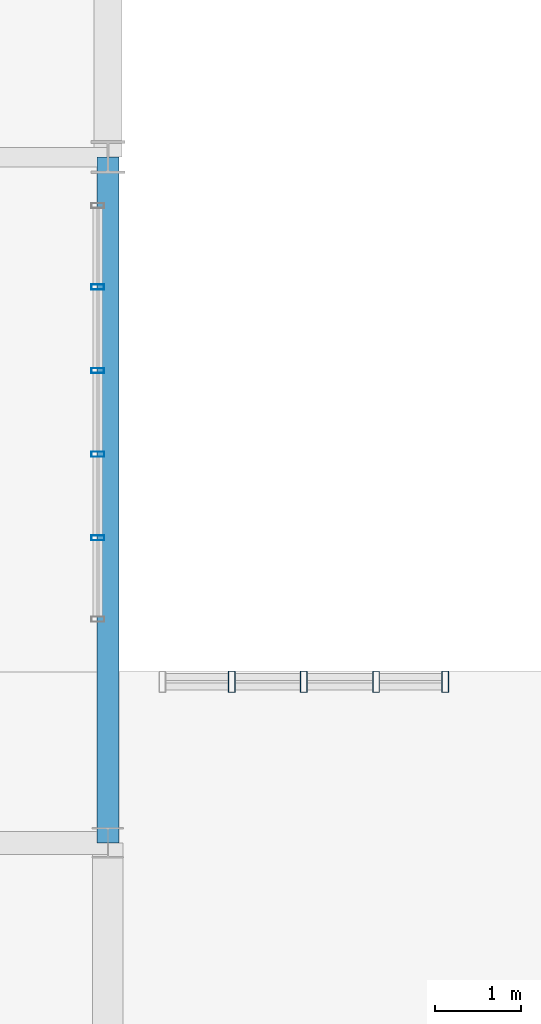
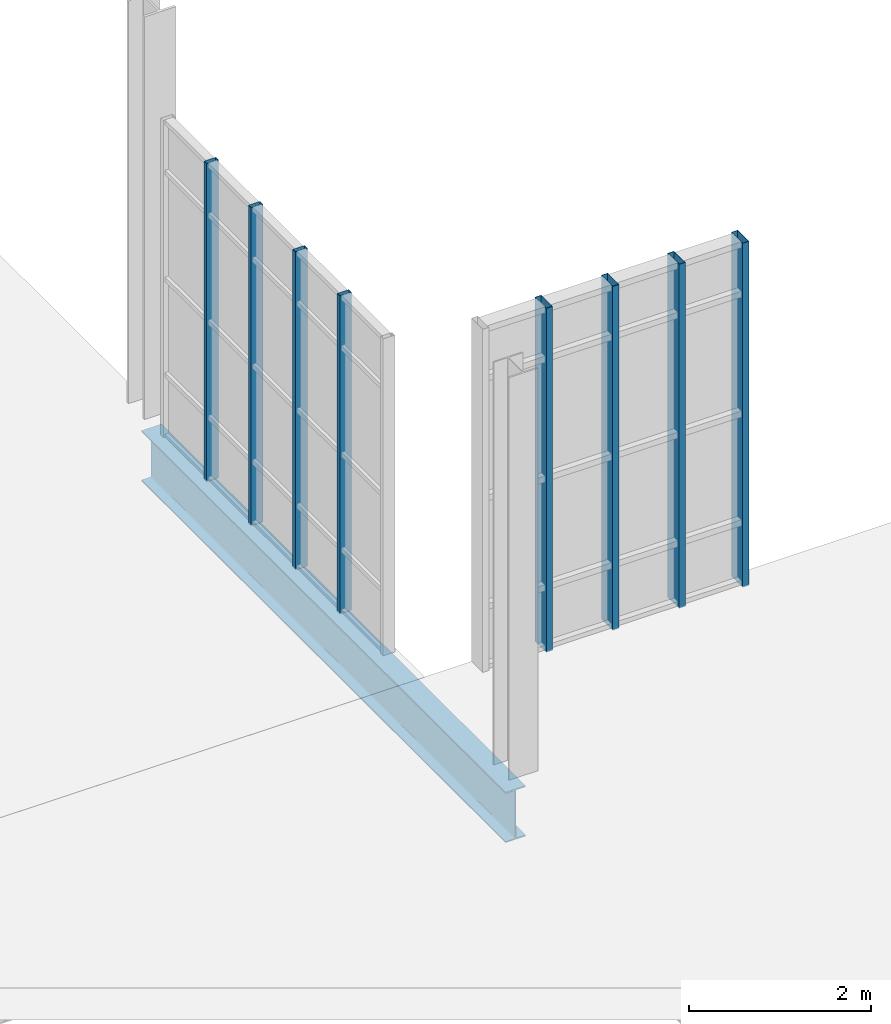
# One storey, part 77 of 189: 8 members, 1 beam, 2 elements without a shape of their own.
"""IFC4 building model written with IfcOpenShell, lengths in metres."""

from ifc_helpers import new_model, si_unit, direction, frame, origin, origin_2d, place, context, subcontext, project, spatial, hollow_rectangle, i_section, extrude, material, layer, layer_set, material_profile, profile_set, type_object, element, aggregate, save


model = new_model("IFC4")

# Units and contexts
model_context = context("Model", 3, precision=1e-05, world=origin(), true_north=direction((0.0, 1.0)))
body_context = subcontext(model_context, "Body", "Model", "MODEL_VIEW")
ifc_project = project(units=[si_unit("LENGTHUNIT", "METRE"), si_unit("AREAUNIT", "SQUARE_METRE"), si_unit("VOLUMEUNIT", "CUBIC_METRE"), si_unit("PLANEANGLEUNIT", "RADIAN"), si_unit("MASSUNIT", "GRAM", prefix="KILO"), si_unit("THERMODYNAMICTEMPERATUREUNIT", "KELVIN"), si_unit("POWERUNIT", "WATT")], contexts=[model_context])

# Site, building, storey
site_placement = place(None, origin())
site = spatial("IfcSite", under=ifc_project, at=site_placement, CompositionType="ELEMENT")
building_placement = place(site_placement, origin())
building = spatial("IfcBuilding", under=site, at=building_placement, Name="Zelmaris Science Centre", CompositionType="ELEMENT")
storey_placement = place(building_placement, origin())
storey = spatial("IfcBuildingStorey", under=building, at=storey_placement, Name="L00", CompositionType="ELEMENT", Elevation=0.0)

# Curtain wall, members
ifc_material_1 = material(Name="Anodised architectural aluminium 6063-T6", Category="aluminium")
ifc_layer_1 = layer(ifc_material_1, 0.219970703125, Name="Anodised architectural aluminium 6063-T6")
ifc_layer_set_1 = layer_set([ifc_layer_1], Name="Anodised architectural aluminium 6063-T6")
curtain_wall_type_1 = type_object("IfcCurtainWallType", Name="Curtain Wall CW-04", PredefinedType="USERDEFINED", material=ifc_layer_set_1)
curtain_wall_1_placement = place(storey_placement, origin())
curtain_wall_1 = element("IfcCurtainWall", 1, at=curtain_wall_1_placement, inside=storey, type_object=curtain_wall_type_1, Name="L00 Unitised curtain wall 88", ObjectType="GLAZED CURTAIN WALL", PredefinedType="USERDEFINED")
ifc_material_profile_1 = material_profile(ifc_material_1, hollow_rectangle(XDim=0.06005859375, YDim=0.14990234375, WallThickness=0.00341796875, at=origin_2d()), Name="ALU-MUL-60X150")
ifc_profile_set_1 = profile_set([ifc_material_profile_1], Name="Anodised architectural aluminium 6063-T6")
member_type_1 = type_object("IfcMemberType", Name="ALU-MUL-60X150", PredefinedType="MULLION", material=ifc_profile_set_1)
member_1_placement = place(storey_placement, frame((107.882080078125, 70.484619140625, -0.014892578125), z_axis=(0.0, 0.0, 1.0), x_axis=(0.000129154364, -0.99999999166, 0.0)))
member_1 = element("IfcMember", 2, at=member_1_placement, type_object=member_type_1, Name="CW-04 mullion 2", PredefinedType="MULLION", context=body_context, shape_type="SweptSolid", body=[
    extrude(hollow_rectangle(XDim=0.06005859375, YDim=0.14990234375, WallThickness=0.00341796875, at=origin_2d()), origin(), (0.0, 0.0, 1.0), 4.263916015625),
])
member_2_placement = place(storey_placement, frame((107.882080078125, 69.509033203125, -0.014892578125), z_axis=(0.0, 0.0, 1.0), x_axis=(0.000129154364, -0.99999999166, 0.0)))
member_2 = element("IfcMember", 3, at=member_2_placement, type_object=member_type_1, Name="CW-04 mullion 3", PredefinedType="MULLION", context=body_context, shape_type="SweptSolid", body=[
    extrude(hollow_rectangle(XDim=0.06005859375, YDim=0.14990234375, WallThickness=0.00341796875, at=origin_2d()), origin(), (0.0, 0.0, 1.0), 4.263916015625),
])
member_3_placement = place(storey_placement, frame((107.88232421875, 68.533447265625, -0.014892578125), z_axis=(0.0, 0.0, 1.0), x_axis=(0.000129154364, -0.99999999166, 0.0)))
member_3 = element("IfcMember", 4, at=member_3_placement, type_object=member_type_1, Name="CW-04 mullion 4", PredefinedType="MULLION", context=body_context, shape_type="SweptSolid", body=[
    extrude(hollow_rectangle(XDim=0.06005859375, YDim=0.14990234375, WallThickness=0.00341796875, at=origin_2d()), origin(), (0.0, 0.0, 1.0), 4.263916015625),
])
member_4_placement = place(storey_placement, frame((107.88232421875, 67.55810546875, -0.014892578125), z_axis=(0.0, 0.0, 1.0), x_axis=(0.000129154364, -0.99999999166, 0.0)))
member_4 = element("IfcMember", 5, at=member_4_placement, type_object=member_type_1, Name="CW-04 mullion 5", PredefinedType="MULLION", context=body_context, shape_type="SweptSolid", body=[
    extrude(hollow_rectangle(XDim=0.06005859375, YDim=0.14990234375, WallThickness=0.00341796875, at=origin_2d()), origin(), (0.0, 0.0, 1.0), 4.263916015625),
])
aggregate(curtain_wall_1, [member_1, member_2, member_3, member_4])

ifc_layer_2 = layer(ifc_material_1, 0.18994140625, Name="Anodised architectural aluminium 6063-T6")
ifc_layer_set_2 = layer_set([ifc_layer_2], Name="Anodised architectural aluminium 6063-T6")
curtain_wall_type_2 = type_object("IfcCurtainWallType", Name="Curtain Wall CW-01", PredefinedType="USERDEFINED", material=ifc_layer_set_2)
curtain_wall_2_placement = place(storey_placement, origin())
curtain_wall_2 = element("IfcCurtainWall", 6, at=curtain_wall_2_placement, inside=storey, type_object=curtain_wall_type_2, Name="L00 Unitised curtain wall 89", ObjectType="GLAZED CURTAIN WALL", PredefinedType="USERDEFINED")
ifc_material_profile_2 = material_profile(ifc_material_1, hollow_rectangle(XDim=0.080078125, YDim=0.25, WallThickness=0.0048828125, at=origin_2d()), Name="ALU-MUL-80X250")
ifc_profile_set_2 = profile_set([ifc_material_profile_2], Name="Anodised architectural aluminium 6063-T6")
member_type_2 = type_object("IfcMemberType", Name="ALU-MUL-80X250", PredefinedType="MULLION", material=ifc_profile_set_2)
member_5_placement = place(storey_placement, frame((109.4423828125, 65.8798828125, -0.014892578125), z_axis=(0.0, 0.0, 1.0), x_axis=(0.999999999962, -8.726646e-06, 0.0)))
member_5 = element("IfcMember", 7, at=member_5_placement, type_object=member_type_2, Name="CW-01 mullion 2", PredefinedType="MULLION", context=body_context, shape_type="SweptSolid", body=[
    extrude(hollow_rectangle(XDim=0.080078125, YDim=0.25, WallThickness=0.0048828125, at=origin_2d()), origin(), (0.0, 0.0, 1.0), 4.614990234375),
])
member_6_placement = place(storey_placement, frame((110.284912109375, 65.8798828125, -0.014892578125), z_axis=(0.0, 0.0, 1.0), x_axis=(0.999999999962, -8.726646e-06, 0.0)))
member_6 = element("IfcMember", 8, at=member_6_placement, type_object=member_type_2, Name="CW-01 mullion 3", PredefinedType="MULLION", context=body_context, shape_type="SweptSolid", body=[
    extrude(hollow_rectangle(XDim=0.080078125, YDim=0.25, WallThickness=0.0048828125, at=origin_2d()), origin(), (0.0, 0.0, 1.0), 4.614990234375),
])
member_7_placement = place(storey_placement, frame((111.12744140625, 65.8798828125, -0.014892578125), z_axis=(0.0, 0.0, 1.0), x_axis=(0.999999999962, -8.726646e-06, 0.0)))
member_7 = element("IfcMember", 9, at=member_7_placement, type_object=member_type_2, Name="CW-01 mullion 4", PredefinedType="MULLION", context=body_context, shape_type="SweptSolid", body=[
    extrude(hollow_rectangle(XDim=0.080078125, YDim=0.25, WallThickness=0.0048828125, at=origin_2d()), origin(), (0.0, 0.0, 1.0), 4.614990234375),
])
member_8_placement = place(storey_placement, frame((111.93408203125, 65.8798828125, -0.014892578125), z_axis=(0.0, 0.0, 1.0), x_axis=(0.999999999962, -8.726646e-06, 0.0)))
member_8 = element("IfcMember", 10, at=member_8_placement, type_object=member_type_2, Name="CW-01 mullion 5", PredefinedType="MULLION", context=body_context, shape_type="SweptSolid", body=[
    extrude(hollow_rectangle(XDim=0.080078125, YDim=0.25, WallThickness=0.0048828125, at=origin_2d()), origin(), (0.0, 0.0, 1.0), 4.614990234375),
])
aggregate(curtain_wall_2, [member_5, member_6, member_7, member_8])

# Beam
ifc_material_2 = material(Name="Steel ASTM A992 Grade 50", Category="steel")
ifc_material_profile_3 = material_profile(ifc_material_2, i_section(OverallWidth=0.25390625, OverallDepth=0.677978515625, WebThickness=0.01171875, FlangeThickness=0.016357421875, FilletRadius=0.01806640625, at=origin_2d()), Name="W27X84")
ifc_profile_set_3 = profile_set([ifc_material_profile_3], Name="Steel ASTM A992 Grade 50")
beam_type = type_object("IfcBeamType", Name="Beam G-36 W27X84", PredefinedType="BEAM", material=ifc_profile_set_3)
beam_placement = place(storey_placement, frame((108.0, 64.0, -0.62890625), z_axis=(0.0, 1.0, 0.0), x_axis=(-1.0, 0.0, 0.0)))
element("IfcBeam", 11, at=beam_placement, inside=storey, type_object=beam_type, Name="L00 North-south girder 56", PredefinedType="BEAM", context=body_context, shape_type="SweptSolid", body=[
    extrude(i_section(OverallWidth=0.25390625, OverallDepth=0.677978515625, WebThickness=0.01171875, FlangeThickness=0.016357421875, FilletRadius=0.01806640625, at=origin_2d()), origin(), (0.0, 0.0, 1.0), 8.0),
])

save(model, "model.ifc")
